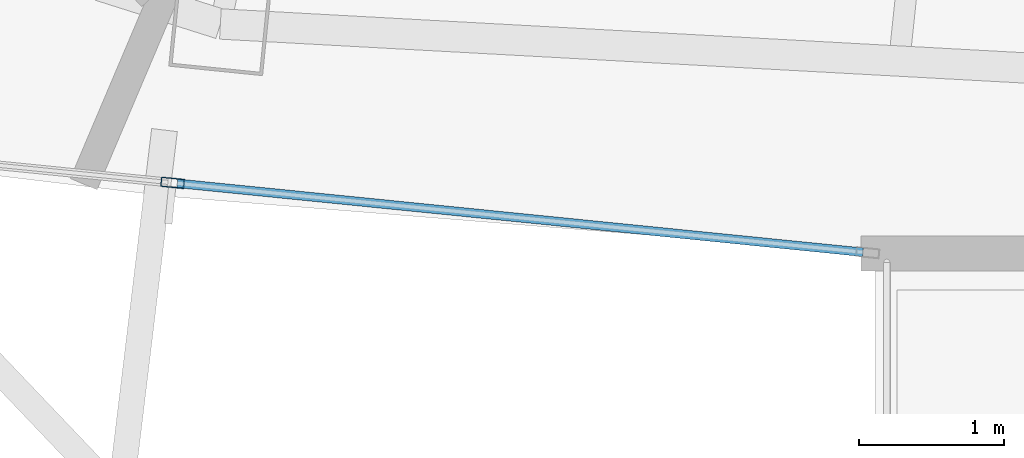
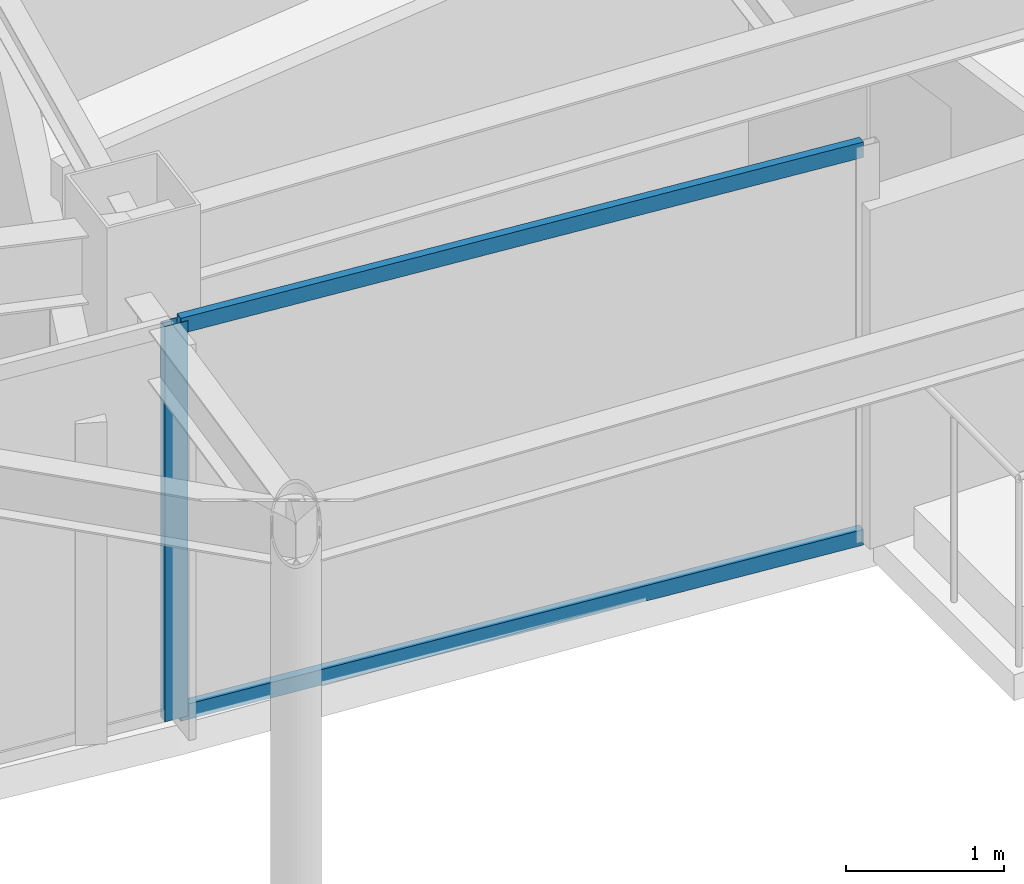
# One storey, part 4 of 30: 3 members, 1 element without a shape of its own.
"""IFC4 building model written with IfcOpenShell, lengths in metres."""

from ifc_helpers import new_model, si_unit, direction, frame, origin, origin_2d, place, context, subcontext, project, spatial, hollow_rectangle, extrude, material, layer, layer_set, material_profile, profile_set, type_object, element, aggregate, save


model = new_model("IFC4")

# Units and contexts
model_context = context("Model", 3, precision=1e-05, world=origin(), true_north=direction((0.0, 1.0)))
body_context = subcontext(model_context, "Body", "Model", "MODEL_VIEW")
ifc_project = project(units=[si_unit("LENGTHUNIT", "METRE"), si_unit("AREAUNIT", "SQUARE_METRE"), si_unit("VOLUMEUNIT", "CUBIC_METRE"), si_unit("PLANEANGLEUNIT", "RADIAN"), si_unit("MASSUNIT", "GRAM", prefix="KILO")], contexts=[model_context])

# Site, building, storey
site_placement = place(None, origin())
site = spatial("IfcSite", under=ifc_project, at=site_placement, CompositionType="ELEMENT")
building_placement = place(site_placement, origin())
building = spatial("IfcBuilding", under=site, at=building_placement, Name="Orvanel Arch Residences", CompositionType="ELEMENT")
storey_placement = place(building_placement, frame((0.0, 0.0, 270.050048828125)))
storey = spatial("IfcBuildingStorey", under=building, at=storey_placement, Name="L77", CompositionType="ELEMENT", Elevation=270.050048828125)

# Curtain wall, members
ifc_material = material(Name="Bronze-anodised aluminium AA6063-T6", Category="aluminium")
ifc_layer = layer(ifc_material, 0.175048828125)
ifc_layer_set = layer_set([ifc_layer], Name="Bronze-anodised aluminium AA6063-T6")
curtain_wall_type = type_object("IfcCurtainWallType", Name="CW4-HI-SYS", PredefinedType="NOTDEFINED", material=ifc_layer_set)
curtain_wall_placement = place(storey_placement, origin())
curtain_wall = element("IfcCurtainWall", 1, at=curtain_wall_placement, inside=storey, type_object=curtain_wall_type, Name="L77 CW4-HI-SYS Unitised Curtain Wall", PredefinedType="NOTDEFINED")
ifc_material_profile_1 = material_profile(ifc_material, hollow_rectangle(XDim=0.06494140625, YDim=0.159912109375, WallThickness=0.00390625, at=origin_2d()), Name="ALU160x65x4")
ifc_profile_set_1 = profile_set([ifc_material_profile_1], Name="Bronze-anodised aluminium AA6063-T6")
member_type_1 = type_object("IfcMemberType", Name="MUL-160x65", PredefinedType="MULLION", material=ifc_profile_set_1)
member_1_placement = place(storey_placement, frame((23.319580078125, 6.260498046875, 0.0), z_axis=(0.0, 0.0, 1.0), x_axis=(0.100004397711, 0.99498699511, 0.0)))
member_1 = element("IfcMember", 2, at=member_1_placement, type_object=member_type_1, Name="CW-S4 mullion 2", PredefinedType="MULLION", context=body_context, shape_type="SweptSolid", body=[
    extrude(hollow_rectangle(XDim=0.06494140625, YDim=0.159912109375, WallThickness=0.00390625, at=origin_2d()), origin(), (0.0, 0.0, 1.0), 3.06005859375),
])
ifc_material_profile_2 = material_profile(ifc_material, hollow_rectangle(XDim=0.06005859375, YDim=0.1201171875, WallThickness=0.00341796875, at=origin_2d()), Name="ALU120x60x3.5")
ifc_profile_set_2 = profile_set([ifc_material_profile_2], Name="Bronze-anodised aluminium AA6063-T6")
member_type_2 = type_object("IfcMemberType", Name="TRN-120x60", PredefinedType="USERDEFINED", material=ifc_profile_set_2)
member_2_placement = place(storey_placement, frame((23.351806640625, 6.25732421875, 0.030029296875), z_axis=(0.994985119775, -0.100023054474, 0.0), x_axis=(0.100023054474, 0.994985119775, 0.0)))
member_2 = element("IfcMember", 3, at=member_2_placement, type_object=member_type_2, Name="CW-S4 transom 2.1", ObjectType="TRANSOM", PredefinedType="USERDEFINED", context=body_context, shape_type="SweptSolid", body=[
    extrude(hollow_rectangle(XDim=0.06005859375, YDim=0.1201171875, WallThickness=0.00341796875, at=origin_2d()), origin(), (0.0, 0.0, 1.0), 4.74755859375),
])
member_3_placement = place(storey_placement, frame((23.351806640625, 6.25732421875, 3.030029296875), z_axis=(0.994985119775, -0.100023054474, 0.0), x_axis=(0.100023054474, 0.994985119775, 0.0)))
member_3 = element("IfcMember", 4, at=member_3_placement, type_object=member_type_2, Name="CW-S4 transom 2.2", ObjectType="TRANSOM", PredefinedType="USERDEFINED", context=body_context, shape_type="SweptSolid", body=[
    extrude(hollow_rectangle(XDim=0.06005859375, YDim=0.1201171875, WallThickness=0.00341796875, at=origin_2d()), origin(), (0.0, 0.0, 1.0), 4.74755859375),
])
aggregate(curtain_wall, [member_1, member_2, member_3])

save(model, "model.ifc")
